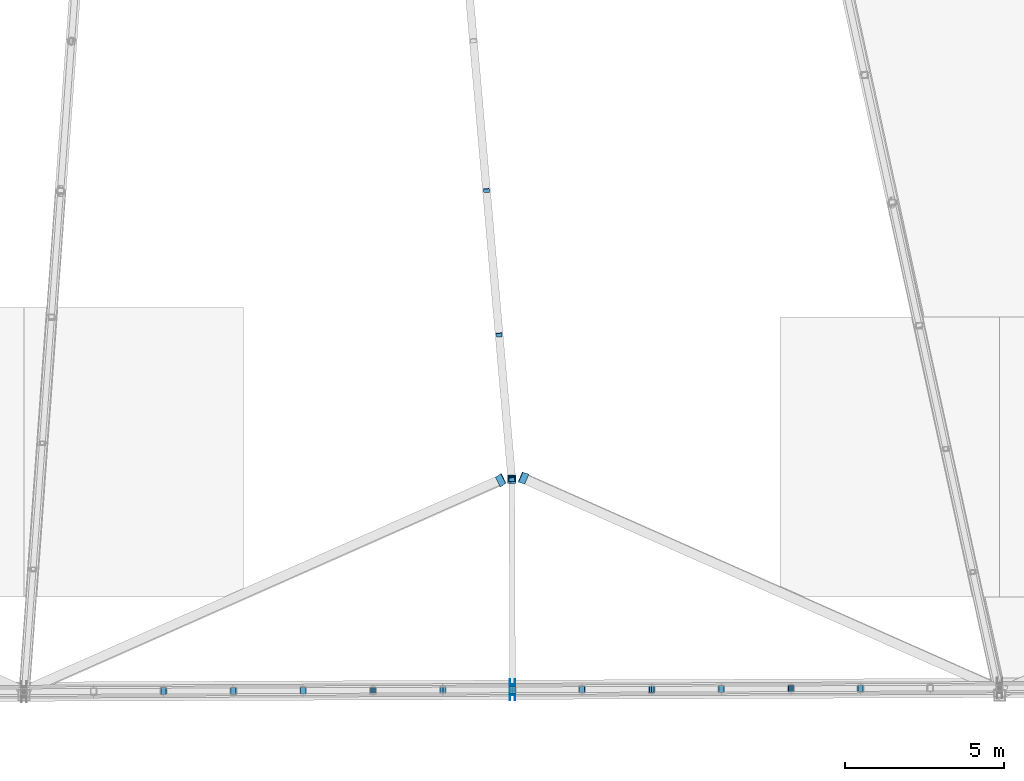
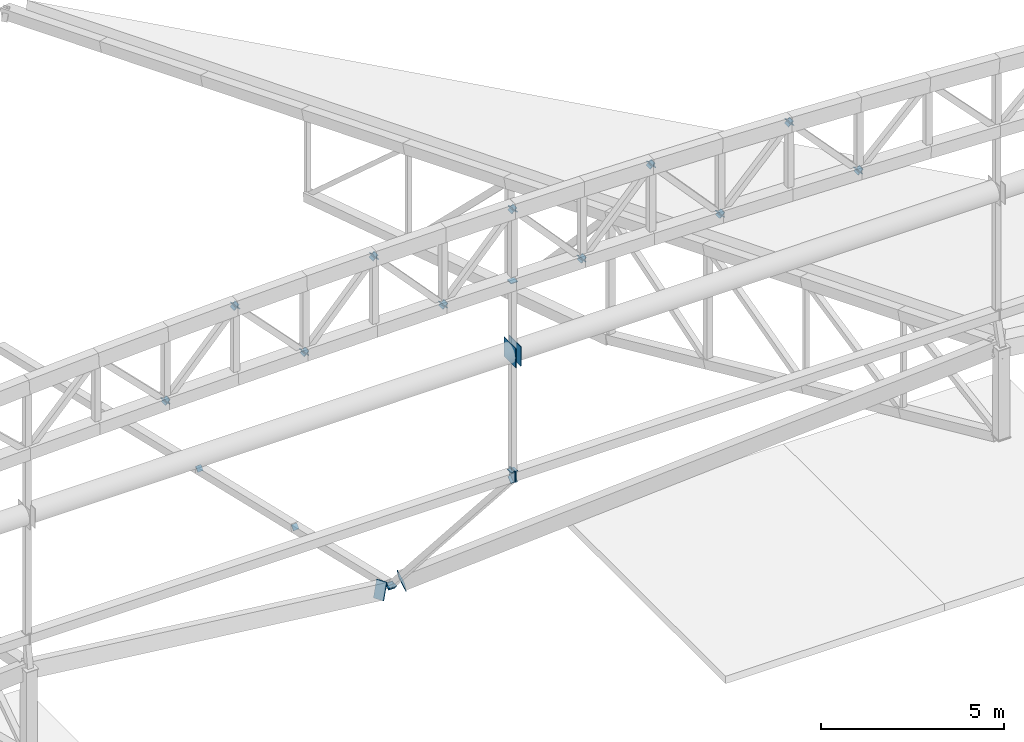
# One storey, part 130 of 188: 36 discrete accessories.
"""IFC4 building model written with IfcOpenShell, lengths in metres."""

from ifc_helpers import new_model, si_unit, direction, frame, origin, origin_2d, place, context, subcontext, project, spatial, rectangle, extrude, material, material_profile, profile_set, type_object, element, save


model = new_model("IFC4")

# Units and contexts
model_context = context("Model", 3, precision=1e-05, world=origin(), true_north=direction((0.0, 1.0)))
body_context = subcontext(model_context, "Body", "Model", "MODEL_VIEW")
ifc_project = project(units=[si_unit("LENGTHUNIT", "METRE"), si_unit("AREAUNIT", "SQUARE_METRE"), si_unit("VOLUMEUNIT", "CUBIC_METRE"), si_unit("PLANEANGLEUNIT", "RADIAN"), si_unit("MASSUNIT", "GRAM", prefix="KILO")], contexts=[model_context])

# Site, building, storey
site_placement = place(None, origin())
site = spatial("IfcSite", under=ifc_project, at=site_placement, CompositionType="ELEMENT")
building_placement = place(site_placement, origin())
building = spatial("IfcBuilding", under=site, at=building_placement, Name="Meseta Stadium", CompositionType="ELEMENT")
storey_placement = place(building_placement, frame((0.0, 0.0, 30.0)))
storey = spatial("IfcBuildingStorey", under=building, at=storey_placement, Name="ROOF", CompositionType="ELEMENT", Elevation=30.0)

# Discrete accessories
ifc_material_1 = material(Name="Steel S355", Category="steel")
ifc_material_profile_1 = material_profile(ifc_material_1, rectangle(XDim=0.179931640625, YDim=0.179931640625, at=origin_2d()), Name="PL 180x180")
ifc_profile_set_1 = profile_set([ifc_material_profile_1], Name="Steel S355")
discrete_accessory_type_1 = type_object("IfcDiscreteAccessoryType", Name="End plate 180x180x20", PredefinedType="ANCHORPLATE", material=ifc_profile_set_1)
for number, where, z_axis, x_axis, name in (
    (1, (6.870849609375, -89.517822265625, 2.41259765625), (0.061093841343, -0.769782400916, 0.635375949962), (0.996865392576, 0.079116300998, 0.0), "End plate of ROOF TRUSS RT-47 diagonal"),
    (2, (7.268798828125, -94.058837890625, 3.07666015625), (0.060620535557, -0.763818748014, 0.642577676901), (0.996865392576, 0.079116300998, 0.0), "End plate of ROOF TRUSS RT-47 diagonal"),
    (3, (7.666748046875, -98.60009765625, 3.74072265625), (0.061185258185, -0.758697201488, 0.648563736756), (0.996763955012, 0.08038418992, 0.0), "End plate of ROOF TRUSS RT-47 diagonal"),
):
    element("IfcDiscreteAccessory", number, at=place(storey_placement, frame(where, z_axis=z_axis, x_axis=x_axis)), inside=storey, type_object=discrete_accessory_type_1, Name=name, PredefinedType="ANCHORPLATE", context=body_context, shape_type="SweptSolid", body=[
        extrude(rectangle(XDim=0.179931640625, YDim=0.179931640625, at=origin_2d()), origin(), (0.0, 0.0, 1.0), 0.02001953125),
    ])
ifc_material_2 = material(Name="Steel S355", Category="steel")
ifc_material_profile_2 = material_profile(ifc_material_2, rectangle(XDim=0.219970703125, YDim=0.219970703125, at=origin_2d()), Name="PL 220x220")
ifc_profile_set_2 = profile_set([ifc_material_profile_2], Name="Steel S355")
discrete_accessory_type_2 = type_object("IfcDiscreteAccessoryType", Name="End plate 220x220x20", PredefinedType="ANCHORPLATE", material=ifc_profile_set_2)
for number, where, z_axis, x_axis, name in (
    (4, (-3.27880859375, -105.26513671875, 17.781982421875), (0.707106781187, 0.0, -0.707106781187), (0.0, 1.0, 0.0), "End plate of GABLE ARCH GA-S diagonal"),
    (5, (-3.292236328125, -105.26513671875, 17.76708984375), (0.669637121797, 0.0, 0.742688444175), (0.0, 1.0, 0.0), "End plate of GABLE ARCH GA-S diagonal"),
):
    element("IfcDiscreteAccessory", number, at=place(storey_placement, frame(where, z_axis=z_axis, x_axis=x_axis)), inside=storey, type_object=discrete_accessory_type_2, Name=name, PredefinedType="ANCHORPLATE", context=body_context, shape_type="SweptSolid", body=[
        extrude(rectangle(XDim=0.219970703125, YDim=0.219970703125, at=origin_2d()), origin(), (0.0, 0.0, 1.0), 0.02001953125),
    ])
discrete_accessory_1_placement = place(storey_placement, frame((-1.08447265625, -105.256591796875, 20.166015625), z_axis=(0.675724628517, 0.0, 0.737154140201), x_axis=(0.0, 1.0, 0.0)))
element("IfcDiscreteAccessory", 6, at=discrete_accessory_1_placement, inside=storey, type_object=discrete_accessory_type_2, Name="End plate of GABLE ARCH GA-S diagonal", PredefinedType="ANCHORPLATE", context=body_context, shape_type="SweptSolid", body=[
    extrude(rectangle(XDim=0.219970703125, YDim=0.219970703125, at=origin_2d()), origin(), (0.0, 0.0, 1.0), 0.019775390625),
])
discrete_accessory_2_placement = place(storey_placement, frame((-1.098388671875, -105.2568359375, 20.1806640625), z_axis=(0.688699186396, 0.012082441867, -0.724946511996), x_axis=(-0.017541160386, 0.99984614201, 0.0)))
element("IfcDiscreteAccessory", 7, at=discrete_accessory_2_placement, inside=storey, type_object=discrete_accessory_type_2, Name="End plate of GABLE ARCH GA-S diagonal", PredefinedType="ANCHORPLATE", context=body_context, shape_type="SweptSolid", body=[
    extrude(rectangle(XDim=0.219970703125, YDim=0.219970703125, at=origin_2d()), origin(), (0.0, 0.0, 1.0), 0.020263671875),
])
for number, where, z_axis, x_axis, name in (
    (8, (1.109619140625, -105.248291015625, 17.86181640625), (0.68231825036, 0.0, -0.731055268243), (0.0, 1.0, 0.0), "End plate of GABLE ARCH GA-S diagonal"),
    (9, (1.09619140625, -105.248291015625, 17.846923828125), (0.669637121797, 0.0, 0.742688444175), (0.0, 1.0, 0.0), "End plate of GABLE ARCH GA-S diagonal"),
    (10, (3.3037109375, -105.23974609375, 20.2724609375), (0.669637121797, 0.0, 0.742688444175), (0.0, 1.0, 0.0), "End plate of GABLE ARCH GA-S diagonal"),
):
    element("IfcDiscreteAccessory", number, at=place(storey_placement, frame(where, z_axis=z_axis, x_axis=x_axis)), inside=storey, type_object=discrete_accessory_type_2, Name=name, PredefinedType="ANCHORPLATE", context=body_context, shape_type="SweptSolid", body=[
        extrude(rectangle(XDim=0.219970703125, YDim=0.219970703125, at=origin_2d()), origin(), (0.0, 0.0, 1.0), 0.02001953125),
    ])
for number, where, z_axis, x_axis, name in (
    (11, (3.290283203125, -105.23974609375, 20.287109375), (0.675724628517, 0.0, -0.737154140201), (0.0, 1.0, 0.0), "End plate of GABLE ARCH GA-S diagonal"),
    (12, (5.498046875, -105.2314453125, 17.897705078125), (0.675673636205, 0.012284975204, -0.737098512223), (-0.018178813668, 0.999834751713, 0.0), "End plate of GABLE ARCH GA-S diagonal"),
):
    element("IfcDiscreteAccessory", number, at=place(storey_placement, frame(where, z_axis=z_axis, x_axis=x_axis)), inside=storey, type_object=discrete_accessory_type_2, Name=name, PredefinedType="ANCHORPLATE", context=body_context, shape_type="SweptSolid", body=[
        extrude(rectangle(XDim=0.219970703125, YDim=0.219970703125, at=origin_2d()), origin(), (0.0, 0.0, 1.0), 0.019775390625),
    ])
discrete_accessory_3_placement = place(storey_placement, frame((5.484375, -105.2314453125, 17.8828125), z_axis=(0.676271292685, 0.0, 0.736652658103), x_axis=(0.0, 1.0, 0.0)))
element("IfcDiscreteAccessory", 13, at=discrete_accessory_3_placement, inside=storey, type_object=discrete_accessory_type_2, Name="End plate of GABLE ARCH GA-S diagonal", PredefinedType="ANCHORPLATE", context=body_context, shape_type="SweptSolid", body=[
    extrude(rectangle(XDim=0.219970703125, YDim=0.219970703125, at=origin_2d()), origin(), (0.0, 0.0, 1.0), 0.020263671875),
])
discrete_accessory_4_placement = place(storey_placement, frame((7.692138671875, -105.222900390625, 20.298828125), z_axis=(0.675724628517, 0.0, 0.737154140201), x_axis=(0.0, 1.0, 0.0)))
element("IfcDiscreteAccessory", 14, at=discrete_accessory_4_placement, inside=storey, type_object=discrete_accessory_type_2, Name="End plate of GABLE ARCH GA-S diagonal", PredefinedType="ANCHORPLATE", context=body_context, shape_type="SweptSolid", body=[
    extrude(rectangle(XDim=0.219970703125, YDim=0.219970703125, at=origin_2d()), origin(), (0.0, 0.0, 1.0), 0.019775390625),
])
discrete_accessory_5_placement = place(storey_placement, frame((7.6787109375, -105.222900390625, 20.313720703125), z_axis=(0.669637121797, 0.0, -0.742688444175), x_axis=(0.0, 1.0, 0.0)))
element("IfcDiscreteAccessory", 15, at=discrete_accessory_5_placement, inside=storey, type_object=discrete_accessory_type_2, Name="End plate of GABLE ARCH GA-S diagonal", PredefinedType="ANCHORPLATE", context=body_context, shape_type="SweptSolid", body=[
    extrude(rectangle(XDim=0.219970703125, YDim=0.219970703125, at=origin_2d()), origin(), (0.0, 0.0, 1.0), 0.02001953125),
])
discrete_accessory_6_placement = place(storey_placement, frame((9.87890625, -105.214599609375, 17.89013671875), z_axis=(0.675673636205, 0.012284975204, -0.737098512223), x_axis=(-0.018178813668, 0.999834751713, 0.0)))
element("IfcDiscreteAccessory", 16, at=discrete_accessory_6_placement, inside=storey, type_object=discrete_accessory_type_2, Name="End plate of GABLE ARCH GA-S diagonal", PredefinedType="ANCHORPLATE", context=body_context, shape_type="SweptSolid", body=[
    extrude(rectangle(XDim=0.219970703125, YDim=0.219970703125, at=origin_2d()), origin(), (0.0, 0.0, 1.0), 0.019775390625),
])
discrete_accessory_7_placement = place(storey_placement, frame((9.865234375, -105.214599609375, 17.87548828125), z_axis=(0.68231825036, 0.0, 0.731055268243), x_axis=(0.0, 1.0, 0.0)))
element("IfcDiscreteAccessory", 17, at=discrete_accessory_7_placement, inside=storey, type_object=discrete_accessory_type_2, Name="End plate of GABLE ARCH GA-S diagonal", PredefinedType="ANCHORPLATE", context=body_context, shape_type="SweptSolid", body=[
    extrude(rectangle(XDim=0.219970703125, YDim=0.219970703125, at=origin_2d()), origin(), (0.0, 0.0, 1.0), 0.02001953125),
])
discrete_accessory_8_placement = place(storey_placement, frame((12.065673828125, -105.2060546875, 20.2451171875), z_axis=(0.675724628517, 0.0, 0.737154140201), x_axis=(0.0, 1.0, 0.0)))
element("IfcDiscreteAccessory", 18, at=discrete_accessory_8_placement, inside=storey, type_object=discrete_accessory_type_2, Name="End plate of GABLE ARCH GA-S diagonal", PredefinedType="ANCHORPLATE", context=body_context, shape_type="SweptSolid", body=[
    extrude(rectangle(XDim=0.219970703125, YDim=0.219970703125, at=origin_2d()), origin(), (0.0, 0.0, 1.0), 0.019775390625),
])
discrete_accessory_9_placement = place(storey_placement, frame((12.052001953125, -105.2060546875, 20.260009765625), z_axis=(0.676271292685, 0.0, -0.736652658103), x_axis=(0.0, 1.0, 0.0)))
element("IfcDiscreteAccessory", 19, at=discrete_accessory_9_placement, inside=storey, type_object=discrete_accessory_type_2, Name="End plate of GABLE ARCH GA-S diagonal", PredefinedType="ANCHORPLATE", context=body_context, shape_type="SweptSolid", body=[
    extrude(rectangle(XDim=0.219970703125, YDim=0.219970703125, at=origin_2d()), origin(), (0.0, 0.0, 1.0), 0.020263671875),
])
for number, where, z_axis, x_axis, name in (
    (20, (14.252197265625, -105.19775390625, 17.839599609375), (0.669587495153, 0.012174318094, -0.742633403715), (-0.018178813668, 0.999834751713, 0.0), "End plate of GABLE ARCH GA-S diagonal"),
    (21, (14.23828125, -105.19775390625, 17.8251953125), (0.694812020929, 0.0, 0.719191390085), (0.0, 1.0, 0.0), "End plate of GABLE ARCH GA-S diagonal"),
    (22, (16.43896484375, -105.189208984375, 20.112060546875), (0.694812020929, 0.0, 0.719191390085), (0.0, 1.0, 0.0), "End plate of GABLE ARCH GA-S diagonal"),
    (23, (16.42529296875, -105.189208984375, 20.126708984375), (0.68231825036, 0.0, -0.731055268243), (0.0, 1.0, 0.0), "End plate of GABLE ARCH GA-S diagonal"),
    (24, (18.625732421875, -105.180908203125, 17.7451171875), (0.669637121797, 0.0, -0.742688444175), (0.0, 1.0, 0.0), "End plate of GABLE ARCH GA-S diagonal"),
):
    element("IfcDiscreteAccessory", number, at=place(storey_placement, frame(where, z_axis=z_axis, x_axis=x_axis)), inside=storey, type_object=discrete_accessory_type_2, Name=name, PredefinedType="ANCHORPLATE", context=body_context, shape_type="SweptSolid", body=[
        extrude(rectangle(XDim=0.219970703125, YDim=0.219970703125, at=origin_2d()), origin(), (0.0, 0.0, 1.0), 0.02001953125),
    ])
discrete_accessory_10_placement = place(storey_placement, frame((18.611328125, -105.180908203125, 17.73095703125), z_axis=(0.713124382013, 0.0, 0.701037528081), x_axis=(0.0, 1.0, 0.0)))
element("IfcDiscreteAccessory", 25, at=discrete_accessory_10_placement, inside=storey, type_object=discrete_accessory_type_2, Name="End plate of GABLE ARCH GA-S diagonal", PredefinedType="ANCHORPLATE", context=body_context, shape_type="SweptSolid", body=[
    extrude(rectangle(XDim=0.219970703125, YDim=0.219970703125, at=origin_2d()), origin(), (0.0, 0.0, 1.0), 0.020263671875),
])
for number, where, z_axis, x_axis, name in (
    (26, (7.692138671875, -105.222900390625, 17.91943359375), (0.0, 0.0, -1.0), (1.0, 0.0, 0.0), "End plate of GABLE ARCH GA-S hanger RT-47"),
    (27, (7.692138671875, -105.222900390625, 11.60009765625), (0.0, 0.0, -1.0), (1.0, 0.0, 0.0), "End plate of GABLE ARCH GA-S hanger RT-47"),
):
    element("IfcDiscreteAccessory", number, at=place(storey_placement, frame(where, z_axis=z_axis, x_axis=x_axis)), inside=storey, type_object=discrete_accessory_type_2, Name=name, PredefinedType="ANCHORPLATE", context=body_context, shape_type="SweptSolid", body=[
        extrude(rectangle(XDim=0.219970703125, YDim=0.219970703125, at=origin_2d()), origin(), (0.0, 0.0, 1.0), 0.02001953125),
    ])
for number, where, z_axis, x_axis, name in (
    (28, (7.692138671875, -105.236083984375, 11.31494140625), (0.0, 0.662838691033, -0.748762225055), (-1.0, 0.0, 0.0), "End plate of GABLE ARCH GA-S hanger RT-47"),
    (29, (7.666748046875, -98.60009765625, 3.74072265625), (-0.012273865955, 0.662788761562, -0.748705823246), (-0.999828576325, -0.018515344006, 0.0), "End plate of GABLE ARCH GA-S hanger RT-47"),
):
    element("IfcDiscreteAccessory", number, at=place(storey_placement, frame(where, z_axis=z_axis, x_axis=x_axis)), inside=storey, type_object=discrete_accessory_type_2, Name=name, PredefinedType="ANCHORPLATE", context=body_context, shape_type="SweptSolid", body=[
        extrude(rectangle(XDim=0.219970703125, YDim=0.219970703125, at=origin_2d()), origin(), (0.0, 0.0, 1.0), 0.019775390625),
    ])
ifc_material_3 = material(Name="Steel S355", Category="steel")
ifc_material_profile_3 = material_profile(ifc_material_3, rectangle(XDim=0.260009765625, YDim=0.260009765625, at=origin_2d()), Name="PL 260x260")
ifc_profile_set_3 = profile_set([ifc_material_profile_3], Name="Steel S355")
discrete_accessory_type_3 = type_object("IfcDiscreteAccessoryType", Name="End plate 260x260x20", PredefinedType="ANCHORPLATE", material=ifc_profile_set_3)
discrete_accessory_11_placement = place(storey_placement, frame((7.666748046875, -98.60009765625, 3.74072265625), z_axis=(0.0, 0.0, 1.0), x_axis=(1.0, 0.0, 0.0)))
element("IfcDiscreteAccessory", 30, at=discrete_accessory_11_placement, inside=storey, type_object=discrete_accessory_type_3, Name="End plate of ROOF TRUSS RT-47 post", PredefinedType="ANCHORPLATE", context=body_context, shape_type="SweptSolid", body=[
    extrude(rectangle(XDim=0.260009765625, YDim=0.260009765625, at=origin_2d()), origin(), (0.0, 0.0, 1.0), 0.02001953125),
])
ifc_material_4 = material(Name="Steel S355", Category="steel")
ifc_material_profile_4 = material_profile(ifc_material_4, rectangle(XDim=0.340087890625, YDim=0.340087890625, at=origin_2d()), Name="PL 340x340")
ifc_profile_set_4 = profile_set([ifc_material_profile_4], Name="Steel S355")
discrete_accessory_type_4 = type_object("IfcDiscreteAccessoryType", Name="End plate 340x340x20", PredefinedType="ANCHORPLATE", material=ifc_profile_set_4)
for number, where, z_axis, x_axis, name in (
    (31, (7.692138671875, -105.222900390625, 11.449951171875), (1.0, 0.0, 0.0), (0.0, 1.0, 0.0), "End plate of GABLE ARCH GA-S sill beam 03"),
    (32, (7.672119140625, -105.222900390625, 11.449951171875), (1.0, 0.0, 0.0), (0.0, 1.0, 0.0), "End plate of GABLE ARCH GA-S sill beam 04"),
):
    element("IfcDiscreteAccessory", number, at=place(storey_placement, frame(where, z_axis=z_axis, x_axis=x_axis)), inside=storey, type_object=discrete_accessory_type_4, Name=name, PredefinedType="ANCHORPLATE", context=body_context, shape_type="SweptSolid", body=[
        extrude(rectangle(XDim=0.340087890625, YDim=0.340087890625, at=origin_2d()), origin(), (0.0, 0.0, 1.0), 0.02001953125),
    ])
ifc_material_5 = material(Name="Steel S355", Category="steel")
ifc_material_profile_5 = material_profile(ifc_material_5, rectangle(XDim=0.340087890625, YDim=0.5400390625, at=origin_2d()), Name="PL 340x540")
ifc_profile_set_5 = profile_set([ifc_material_profile_5], Name="Steel S355")
discrete_accessory_type_5 = type_object("IfcDiscreteAccessoryType", Name="End plate 340x540x20", PredefinedType="ANCHORPLATE", material=ifc_profile_set_5)
for number, where, z_axis, x_axis, name in (
    (33, (7.31201171875, -98.638916015625, 3.73388671875), (0.844040643991, 0.379206666141, -0.379206666141), (-0.434630459596, 0.897924895244, -0.069478385793), "End plate of RIM RING BEAM 47"),
    (34, (8.02685546875, -98.563720703125, 3.743408203125), (0.844040643991, -0.379206666141, 0.379206666141), (0.390804127045, 0.919152762361, 0.049298415067), "End plate of RIM RING BEAM 48"),
):
    element("IfcDiscreteAccessory", number, at=place(storey_placement, frame(where, z_axis=z_axis, x_axis=x_axis)), inside=storey, type_object=discrete_accessory_type_5, Name=name, PredefinedType="ANCHORPLATE", context=body_context, shape_type="SweptSolid", body=[
        extrude(rectangle(XDim=0.340087890625, YDim=0.5400390625, at=origin_2d()), origin(), (0.0, 0.0, 1.0), 0.02001953125),
    ])
ifc_material_6 = material(Name="Steel S355", Category="steel")
ifc_material_profile_6 = material_profile(ifc_material_6, rectangle(XDim=0.64990234375, YDim=0.64990234375, at=origin_2d()), Name="PL 650x650")
ifc_profile_set_6 = profile_set([ifc_material_profile_6], Name="Steel S355")
discrete_accessory_type_6 = type_object("IfcDiscreteAccessoryType", Name="End plate 650x650x20", PredefinedType="ANCHORPLATE", material=ifc_profile_set_6)
for number, where, z_axis, x_axis, name in (
    (35, (7.60205078125, -105.22314453125, 15.550048828125), (1.0, 0.0, 0.0), (0.0, 1.0, 0.0), "End plate of GABLE ARCH GA-S tie 03"),
    (36, (7.76220703125, -105.22265625, 15.550048828125), (1.0, 0.0, 0.0), (0.0, 1.0, 0.0), "End plate of GABLE ARCH GA-S tie 04"),
):
    element("IfcDiscreteAccessory", number, at=place(storey_placement, frame(where, z_axis=z_axis, x_axis=x_axis)), inside=storey, type_object=discrete_accessory_type_6, Name=name, PredefinedType="ANCHORPLATE", context=body_context, shape_type="SweptSolid", body=[
        extrude(rectangle(XDim=0.64990234375, YDim=0.64990234375, at=origin_2d()), origin(), (0.0, 0.0, 1.0), 0.02001953125),
    ])

save(model, "model.ifc")
